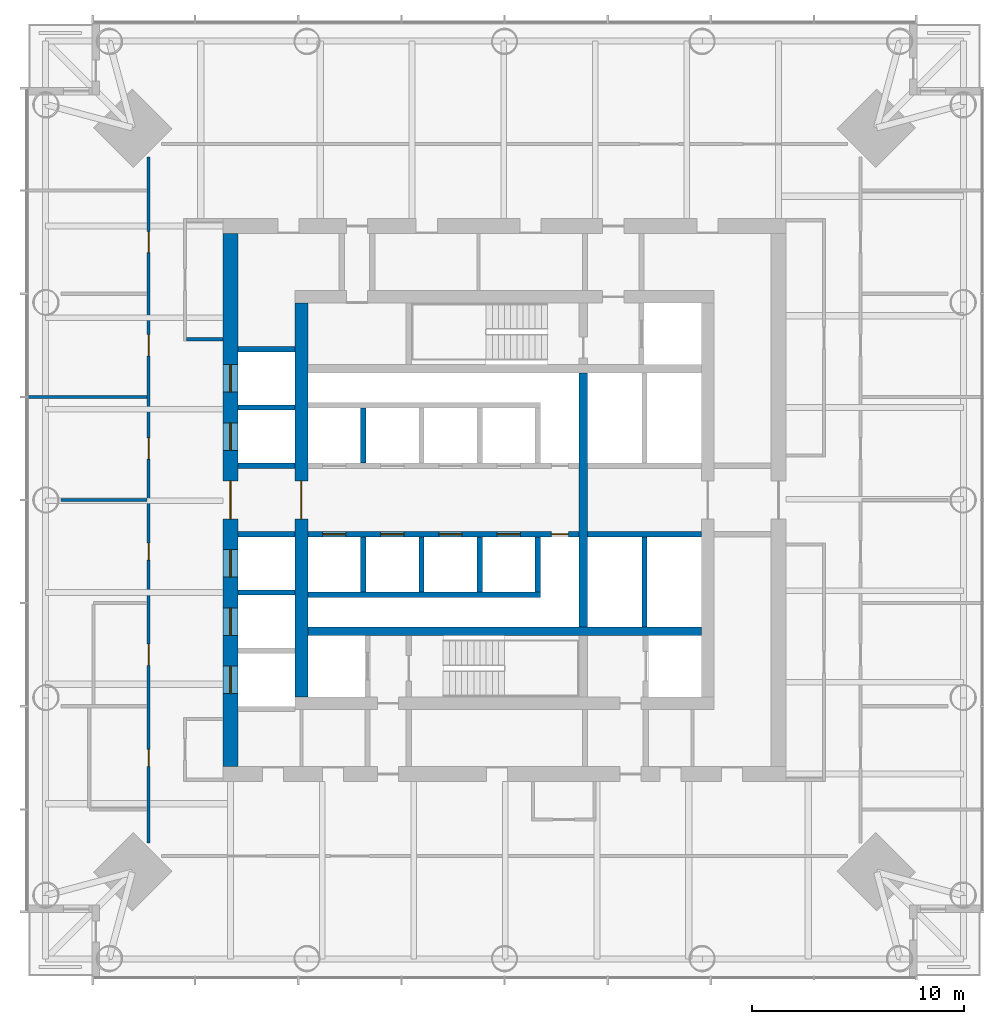
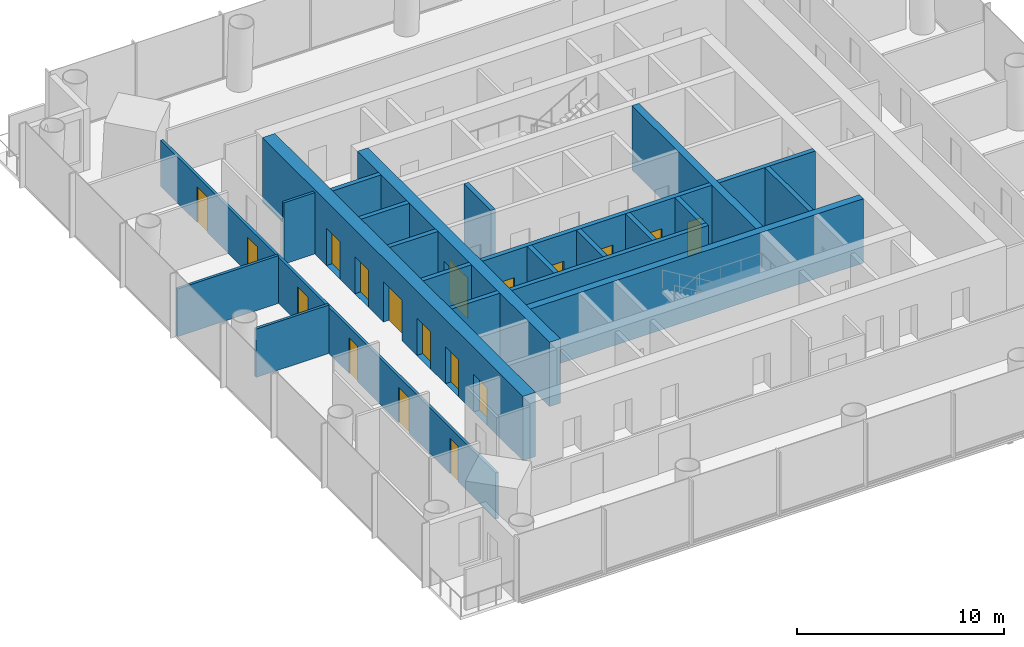
# One storey, part 9 of 18: 22 walls, 18 doors, 18 openings.
"""IFC4 building model written with IfcOpenShell, lengths in metres."""

from ifc_helpers import new_model, si_unit, direction, frame, frame_2d, origin, place, context, subcontext, project, spatial, rectangle, extrude, material, layer, layer_set, type_object, element, fill, save


model = new_model("IFC4")

# Units and contexts
model_context = context("Model", 3, precision=1e-05, world=origin(), true_north=direction((0.0, 1.0)))
body_context = subcontext(model_context, "Body", "Model", "MODEL_VIEW")
ifc_project = project(units=[si_unit("LENGTHUNIT", "METRE"), si_unit("AREAUNIT", "SQUARE_METRE"), si_unit("VOLUMEUNIT", "CUBIC_METRE"), si_unit("PLANEANGLEUNIT", "RADIAN"), si_unit("MASSUNIT", "GRAM", prefix="KILO")], contexts=[model_context])

# Site, building, storey
site_placement = place(None, origin())
site = spatial("IfcSite", under=ifc_project, at=site_placement, CompositionType="ELEMENT")
building_placement = place(site_placement, origin())
building = spatial("IfcBuilding", under=site, at=building_placement, Name="Ostroluk Exchange", CompositionType="ELEMENT")
storey_placement = place(building_placement, frame((0.0, 0.0, 93.199951171875)))
storey = spatial("IfcBuildingStorey", under=building, at=storey_placement, Name="L23", CompositionType="ELEMENT", Elevation=93.199951171875)

# Walls
ifc_material_1 = material(Name="Concrete C50/60", Category="concrete")
ifc_layer_1 = layer(ifc_material_1, 0.39990234375)
ifc_layer_set_1 = layer_set([ifc_layer_1], Name="Core cross wall 400 C50/60")
wall_type_1 = type_object("IfcWallType", Name="Core cross wall 400 C50/60", PredefinedType="SHEAR", material=ifc_layer_set_1)
wall_1_placement = place(storey_placement, frame((35.699951171875, 39.800048828125, 0.0), z_axis=(0.0, 0.0, 1.0), x_axis=(1.0, 0.0, 0.0)))
element("IfcWall", 1, at=wall_1_placement, inside=storey, type_object=wall_type_1, Name="T1 core wall XS", PredefinedType="SHEAR", context=body_context, shape_type="SweptSolid", body=[
    extrude(rectangle(XDim=18.60009765625, YDim=0.39990234375, at=frame_2d((9.300048828125, 0.0))), origin(), (0.0, 0.0, 1.0), 3.800048828125),
])
wall_2_placement = place(storey_placement, frame((48.72998046875, 40.0, 0.0), z_axis=(0.0, 0.0, 1.0), x_axis=(0.0, 1.0, 0.0)))
element("IfcWall", 2, at=wall_2_placement, inside=storey, type_object=wall_type_1, Name="T1 core wall YE2", PredefinedType="SHEAR", context=body_context, shape_type="SweptSolid", body=[
    extrude(rectangle(XDim=12.0, YDim=0.39990234375, at=frame_2d((6.0, 0.0))), origin(), (0.0, 0.0, 1.0), 3.800048828125),
])
ifc_material_2 = material(Name="Concrete C40/50", Category="concrete")
ifc_layer_2 = layer(ifc_material_2, 0.25)
ifc_layer_set_2 = layer_set([ifc_layer_2], Name="Core shaft wall 250")
wall_type_2 = type_object("IfcWallType", Name="Core shaft wall 250", PredefinedType="SHEAR", material=ifc_layer_set_2)
for number, where, z_axis, x_axis, name in (
    (3, (38.324951171875, 47.75, 0.0), (0.0, 0.0, 1.0), (0.0, 1.0, 0.0), "Lift shaft wall"),
    (4, (38.324951171875, 44.25, 0.0), (0.0, 0.0, 1.0), (0.0, -1.0, 0.0), "Lift shaft wall"),
    (5, (41.074951171875, 44.25, 0.0), (0.0, 0.0, 1.0), (0.0, -1.0, 0.0), "Lift shaft wall"),
    (6, (43.824951171875, 44.25, 0.0), (0.0, 0.0, 1.0), (0.0, -1.0, 0.0), "Lift shaft wall"),
    (7, (46.574951171875, 44.25, 0.0), (0.0, 0.0, 1.0), (0.0, -1.0, 0.0), "Lift shaft wall"),
):
    element("IfcWall", number, at=place(storey_placement, frame(where, z_axis=z_axis, x_axis=x_axis)), inside=storey, type_object=wall_type_2, Name=name, PredefinedType="SHEAR", context=body_context, shape_type="SweptSolid", body=[
        extrude(rectangle(XDim=2.60009765625, YDim=0.25, at=frame_2d((1.300048828125, 0.0))), origin(), (0.0, 0.0, 1.0), 3.800048828125),
    ])
wall_3_placement = place(storey_placement, frame((35.699951171875, 41.52490234375, 0.0), z_axis=(0.0, 0.0, 1.0), x_axis=(1.0, 0.0, 0.0)))
element("IfcWall", 8, at=wall_3_placement, inside=storey, type_object=wall_type_2, Name="Lift shaft wall", PredefinedType="SHEAR", context=body_context, shape_type="SweptSolid", body=[
    extrude(rectangle(XDim=11.0, YDim=0.25, at=frame_2d((5.5, 0.0))), origin(), (0.0, 0.0, 1.0), 3.800048828125),
])

# Wall, openings, doors
wall_4_placement = place(storey_placement, frame((35.699951171875, 44.375, 0.0), z_axis=(0.0, 0.0, 1.0), x_axis=(1.0, 0.0, 0.0)))
wall_4 = element("IfcWall", 9, at=wall_4_placement, inside=storey, type_object=wall_type_2, Name="Lift shaft front wall", PredefinedType="SHEAR", context=body_context, shape_type="SweptSolid", body=[
    extrude(rectangle(XDim=12.830078125, YDim=0.25, at=frame_2d((6.4150390625, 0.0))), origin(), (0.0, 0.0, 1.0), 3.800048828125),
])
opening_1_placement = place(wall_4_placement, frame((0.699951171875, 0.0, 0.0)))
opening_1 = element("IfcOpeningElement", 10, at=opening_1_placement, cuts=wall_4, Name="Opening LD", PredefinedType="OPENING", context=body_context, shape_type="SweptSolid", body=[
    extrude(rectangle(XDim=1.10009765625, YDim=2.199951171875, at=frame_2d((0.550048828125, 1.10009765625))), frame((0.0, 0.135009765625, 0.0), z_axis=(0.0, -1.0, 0.0), x_axis=(1.0, 0.0, 0.0)), (0.0, 0.0, 1.0), 0.27001953125),
])
opening_2_placement = place(wall_4_placement, frame((3.449951171875, 0.0, 0.0)))
opening_2 = element("IfcOpeningElement", 11, at=opening_2_placement, cuts=wall_4, Name="Opening LD", PredefinedType="OPENING", context=body_context, shape_type="SweptSolid", body=[
    extrude(rectangle(XDim=1.10009765625, YDim=2.199951171875, at=frame_2d((0.550048828125, 1.10009765625))), frame((0.0, 0.135009765625, 0.0), z_axis=(0.0, -1.0, 0.0), x_axis=(1.0, 0.0, 0.0)), (0.0, 0.0, 1.0), 0.27001953125),
])
opening_3_placement = place(wall_4_placement, frame((6.199951171875, 0.0, 0.0)))
opening_3 = element("IfcOpeningElement", 12, at=opening_3_placement, cuts=wall_4, Name="Opening LD", PredefinedType="OPENING", context=body_context, shape_type="SweptSolid", body=[
    extrude(rectangle(XDim=1.10009765625, YDim=2.199951171875, at=frame_2d((0.550048828125, 1.10009765625))), frame((0.0, 0.135009765625, 0.0), z_axis=(0.0, -1.0, 0.0), x_axis=(1.0, 0.0, 0.0)), (0.0, 0.0, 1.0), 0.27001953125),
])
opening_4_placement = place(wall_4_placement, frame((8.949951171875, 0.0, 0.0)))
opening_4 = element("IfcOpeningElement", 13, at=opening_4_placement, cuts=wall_4, Name="Opening LD", PredefinedType="OPENING", context=body_context, shape_type="SweptSolid", body=[
    extrude(rectangle(XDim=1.10009765625, YDim=2.199951171875, at=frame_2d((0.550048828125, 1.10009765625))), frame((0.0, 0.135009765625, 0.0), z_axis=(0.0, -1.0, 0.0), x_axis=(1.0, 0.0, 0.0)), (0.0, 0.0, 1.0), 0.27001953125),
])
opening_5_placement = place(wall_4_placement, frame((11.514892578125, 0.0, 0.0)))
opening_5 = element("IfcOpeningElement", 14, at=opening_5_placement, cuts=wall_4, Name="Opening RD60", PredefinedType="OPENING", context=body_context, shape_type="SweptSolid", body=[
    extrude(rectangle(XDim=0.800048828125, YDim=2.0, at=frame_2d((0.39990234375, 1.0))), frame((0.0, 0.135009765625, 0.0), z_axis=(0.0, -1.0, 0.0), x_axis=(1.0, 0.0, 0.0)), (0.0, 0.0, 1.0), 0.27001953125),
])
ifc_material_3 = material(Name="Stainless steel", Category="steel")
door_type_1 = type_object("IfcDoorType", Name="Lift landing door E 60 1100 x 2200", OperationType="DOUBLE_DOOR_SLIDING", PredefinedType="DOOR", material=ifc_material_3)
door_1_placement = place(opening_1_placement, origin())
door_1 = element("IfcDoor", 15, at=door_1_placement, inside=storey, type_object=door_type_1, Name="Lift PL-M5 landing door", OperationType="DOUBLE_DOOR_SLIDING", OverallHeight=2.199951171875, OverallWidth=1.10009765625, PredefinedType="DOOR", context=body_context, shape_type="SweptSolid", body=[
    extrude(rectangle(XDim=1.10009765625, YDim=2.199951171875, at=frame_2d((0.550048828125, 1.10009765625))), frame((0.0, 0.02490234375, 0.0), z_axis=(0.0, -1.0, 0.0), x_axis=(1.0, 0.0, 0.0)), (0.0, 0.0, 1.0), 0.050048828125),
])
fill(opening_1, door_1)
door_2_placement = place(opening_2_placement, origin())
door_2 = element("IfcDoor", 16, at=door_2_placement, inside=storey, type_object=door_type_1, Name="Lift PL-M6 landing door", OperationType="DOUBLE_DOOR_SLIDING", OverallHeight=2.199951171875, OverallWidth=1.10009765625, PredefinedType="DOOR", context=body_context, shape_type="SweptSolid", body=[
    extrude(rectangle(XDim=1.10009765625, YDim=2.199951171875, at=frame_2d((0.550048828125, 1.10009765625))), frame((0.0, 0.02490234375, 0.0), z_axis=(0.0, -1.0, 0.0), x_axis=(1.0, 0.0, 0.0)), (0.0, 0.0, 1.0), 0.050048828125),
])
fill(opening_2, door_2)
door_3_placement = place(opening_3_placement, origin())
door_3 = element("IfcDoor", 17, at=door_3_placement, inside=storey, type_object=door_type_1, Name="Lift PL-M7 landing door", OperationType="DOUBLE_DOOR_SLIDING", OverallHeight=2.199951171875, OverallWidth=1.10009765625, PredefinedType="DOOR", context=body_context, shape_type="SweptSolid", body=[
    extrude(rectangle(XDim=1.10009765625, YDim=2.199951171875, at=frame_2d((0.550048828125, 1.10009765625))), frame((0.0, 0.02490234375, 0.0), z_axis=(0.0, -1.0, 0.0), x_axis=(1.0, 0.0, 0.0)), (0.0, 0.0, 1.0), 0.050048828125),
])
fill(opening_3, door_3)
door_4_placement = place(opening_4_placement, origin())
door_4 = element("IfcDoor", 18, at=door_4_placement, inside=storey, type_object=door_type_1, Name="Lift PL-M8 landing door", OperationType="DOUBLE_DOOR_SLIDING", OverallHeight=2.199951171875, OverallWidth=1.10009765625, PredefinedType="DOOR", context=body_context, shape_type="SweptSolid", body=[
    extrude(rectangle(XDim=1.10009765625, YDim=2.199951171875, at=frame_2d((0.550048828125, 1.10009765625))), frame((0.0, 0.02490234375, 0.0), z_axis=(0.0, -1.0, 0.0), x_axis=(1.0, 0.0, 0.0)), (0.0, 0.0, 1.0), 0.050048828125),
])
fill(opening_4, door_4)
ifc_material_4 = material(Name="Steel", Category="steel")
door_type_2 = type_object("IfcDoorType", Name="Riser access door EI 60 800 x 2000", OperationType="SINGLE_SWING_LEFT", PredefinedType="DOOR", material=ifc_material_4)
door_5_placement = place(opening_5_placement, origin())
door_5 = element("IfcDoor", 19, at=door_5_placement, inside=storey, type_object=door_type_2, Name="Riser access door", OperationType="SINGLE_SWING_RIGHT", OverallHeight=2.0, OverallWidth=0.800048828125, PredefinedType="DOOR", context=body_context, shape_type="SweptSolid", body=[
    extrude(rectangle(XDim=0.800048828125, YDim=2.0, at=frame_2d((0.39990234375, 1.0))), frame((0.0, 0.02490234375, 0.0), z_axis=(0.0, -1.0, 0.0), x_axis=(1.0, 0.0, 0.0)), (0.0, 0.0, 1.0), 0.050048828125),
])
fill(opening_5, door_5)

# Walls
wall_5_placement = place(storey_placement, frame((51.614990234375, 44.25, 0.0), z_axis=(0.0, 0.0, 1.0), x_axis=(0.0, -1.0, 0.0)))
element("IfcWall", 20, at=wall_5_placement, inside=storey, type_object=wall_type_2, Name="Lift shaft wall", PredefinedType="SHEAR", context=body_context, shape_type="SweptSolid", body=[
    extrude(rectangle(XDim=4.25, YDim=0.25, at=frame_2d((2.125, 0.0))), origin(), (0.0, 0.0, 1.0), 3.800048828125),
])
wall_6_placement = place(storey_placement, frame((48.929931640625, 44.375, 0.0), z_axis=(0.0, 0.0, 1.0), x_axis=(1.0, 0.0, 0.0)))
element("IfcWall", 21, at=wall_6_placement, inside=storey, type_object=wall_type_2, Name="Lift shaft front wall", PredefinedType="SHEAR", context=body_context, shape_type="SweptSolid", body=[
    extrude(rectangle(XDim=5.3701171875, YDim=0.25, at=frame_2d((2.68505859375, 0.0))), origin(), (0.0, 0.0, 1.0), 3.800048828125),
])
for number, where, z_axis, x_axis, name in (
    (22, (32.39990234375, 41.625, 0.0), (0.0, 0.0, 1.0), (1.0, 0.0, 0.0), "Lift shaft wall"),
    (23, (32.39990234375, 44.375, 0.0), (0.0, 0.0, 1.0), (1.0, 0.0, 0.0), "Lift shaft wall"),
    (24, (32.39990234375, 47.625, 0.0), (0.0, 0.0, 1.0), (1.0, 0.0, 0.0), "Lift shaft wall"),
    (25, (32.39990234375, 50.375, 0.0), (0.0, 0.0, 1.0), (1.0, 0.0, 0.0), "Lift shaft wall"),
    (26, (32.39990234375, 53.125, 0.0), (0.0, 0.0, 1.0), (1.0, 0.0, 0.0), "Lift shaft wall"),
):
    element("IfcWall", number, at=place(storey_placement, frame(where, z_axis=z_axis, x_axis=x_axis)), inside=storey, type_object=wall_type_2, Name=name, PredefinedType="SHEAR", context=body_context, shape_type="SweptSolid", body=[
        extrude(rectangle(XDim=2.7001953125, YDim=0.25, at=frame_2d((1.35009765625, 0.0))), origin(), (0.0, 0.0, 1.0), 3.800048828125),
    ])

# Wall, opening, door
ifc_material_5 = material(Name="Concrete C50/60", Category="concrete")
ifc_layer_3 = layer(ifc_material_5, 0.60009765625)
ifc_layer_set_3 = layer_set([ifc_layer_3], Name="Core wall 600 C50/60")
wall_type_3 = type_object("IfcWallType", Name="Core wall 600 C50/60", PredefinedType="SHEAR", material=ifc_layer_set_3)
wall_7_placement = place(storey_placement, frame((35.39990234375, 36.699951171875, 0.0), z_axis=(0.0, 0.0, 1.0), x_axis=(0.0, 1.0, 0.0)))
wall_7 = element("IfcWall", 27, at=wall_7_placement, inside=storey, type_object=wall_type_3, Name="T1 core wall W", PredefinedType="SHEAR", context=body_context, shape_type="SweptSolid", body=[
    extrude(rectangle(XDim=18.60009765625, YDim=0.60009765625, at=frame_2d((9.300048828125, 0.0))), origin(), (0.0, 0.0, 1.0), 3.800048828125),
])
opening_6_placement = place(wall_7_placement, frame((8.39990234375, 0.0, 0.0)))
opening_6 = element("IfcOpeningElement", 28, at=opening_6_placement, cuts=wall_7, Name="Opening FD30D", PredefinedType="OPENING", context=body_context, shape_type="SweptSolid", body=[
    extrude(rectangle(XDim=1.800048828125, YDim=2.39990234375, at=frame_2d((0.89990234375, 1.199951171875))), frame((0.0, 0.31005859375, 0.0), z_axis=(0.0, -1.0, 0.0), x_axis=(1.0, 0.0, 0.0)), (0.0, 0.0, 1.0), 0.6201171875),
])
ifc_material_6 = material(Name="Timber", Category="wood")
door_type_3 = type_object("IfcDoorType", Name="Lobby double door EI 30 1800 x 2400", OperationType="DOUBLE_DOOR_SINGLE_SWING", PredefinedType="DOOR", material=ifc_material_6)
door_6_placement = place(opening_6_placement, origin())
door_6 = element("IfcDoor", 29, at=door_6_placement, inside=storey, type_object=door_type_3, Name="Lift lobby doors", OperationType="DOUBLE_DOOR_SINGLE_SWING", OverallHeight=2.39990234375, OverallWidth=1.800048828125, PredefinedType="DOOR", context=body_context, shape_type="SweptSolid", body=[
    extrude(rectangle(XDim=1.800048828125, YDim=2.39990234375, at=frame_2d((0.89990234375, 1.199951171875))), frame((0.0, 0.02490234375, 0.0), z_axis=(0.0, -1.0, 0.0), x_axis=(1.0, 0.0, 0.0)), (0.0, 0.0, 1.0), 0.050048828125),
])
fill(opening_6, door_6)

# Wall, openings, doors
ifc_material_7 = material(Name="Concrete C50/60", Category="concrete")
ifc_layer_4 = layer(ifc_material_7, 0.699951171875)
ifc_layer_set_4 = layer_set([ifc_layer_4], Name="Core wall 700 C50/60")
wall_type_4 = type_object("IfcWallType", Name="Core wall 700 C50/60", PredefinedType="SHEAR", material=ifc_layer_set_4)
wall_8_placement = place(storey_placement, frame((32.050048828125, 33.39990234375, 0.0), z_axis=(0.0, 0.0, 1.0), x_axis=(0.0, 1.0, 0.0)))
wall_8 = element("IfcWall", 30, at=wall_8_placement, inside=storey, type_object=wall_type_4, Name="T1 core wall RW", PredefinedType="SHEAR", context=body_context, shape_type="SweptSolid", body=[
    extrude(rectangle(XDim=25.2001953125, YDim=0.699951171875, at=frame_2d((12.60009765625, 0.0))), origin(), (0.0, 0.0, 1.0), 3.800048828125),
])
opening_7_placement = place(wall_8_placement, frame((3.449951171875, 0.0, 0.0)))
opening_7 = element("IfcOpeningElement", 31, at=opening_7_placement, cuts=wall_8, Name="Opening LD2", PredefinedType="OPENING", context=body_context, shape_type="SweptSolid", body=[
    extrude(rectangle(XDim=1.300048828125, YDim=2.199951171875, at=frame_2d((0.64990234375, 1.10009765625))), frame((0.0, 0.35986328125, 0.0), z_axis=(0.0, -1.0, 0.0), x_axis=(1.0, 0.0, 0.0)), (0.0, 0.0, 1.0), 0.719970703125),
])
opening_8_placement = place(wall_8_placement, frame((6.199951171875, 0.0, 0.0)))
opening_8 = element("IfcOpeningElement", 32, at=opening_8_placement, cuts=wall_8, Name="Opening LD2", PredefinedType="OPENING", context=body_context, shape_type="SweptSolid", body=[
    extrude(rectangle(XDim=1.300048828125, YDim=2.199951171875, at=frame_2d((0.64990234375, 1.10009765625))), frame((0.0, 0.35986328125, 0.0), z_axis=(0.0, -1.0, 0.0), x_axis=(1.0, 0.0, 0.0)), (0.0, 0.0, 1.0), 0.719970703125),
])
opening_9_placement = place(wall_8_placement, frame((8.949951171875, 0.0, 0.0)))
opening_9 = element("IfcOpeningElement", 33, at=opening_9_placement, cuts=wall_8, Name="Opening LD2", PredefinedType="OPENING", context=body_context, shape_type="SweptSolid", body=[
    extrude(rectangle(XDim=1.300048828125, YDim=2.199951171875, at=frame_2d((0.64990234375, 1.10009765625))), frame((0.0, 0.35986328125, 0.0), z_axis=(0.0, -1.0, 0.0), x_axis=(1.0, 0.0, 0.0)), (0.0, 0.0, 1.0), 0.719970703125),
])
opening_10_placement = place(wall_8_placement, frame((14.949951171875, 0.0, 0.0)))
opening_10 = element("IfcOpeningElement", 34, at=opening_10_placement, cuts=wall_8, Name="Opening LD2", PredefinedType="OPENING", context=body_context, shape_type="SweptSolid", body=[
    extrude(rectangle(XDim=1.300048828125, YDim=2.199951171875, at=frame_2d((0.64990234375, 1.10009765625))), frame((0.0, 0.35986328125, 0.0), z_axis=(0.0, -1.0, 0.0), x_axis=(1.0, 0.0, 0.0)), (0.0, 0.0, 1.0), 0.719970703125),
])
opening_11_placement = place(wall_8_placement, frame((17.699951171875, 0.0, 0.0)))
opening_11 = element("IfcOpeningElement", 35, at=opening_11_placement, cuts=wall_8, Name="Opening LD2", PredefinedType="OPENING", context=body_context, shape_type="SweptSolid", body=[
    extrude(rectangle(XDim=1.300048828125, YDim=2.199951171875, at=frame_2d((0.64990234375, 1.10009765625))), frame((0.0, 0.35986328125, 0.0), z_axis=(0.0, -1.0, 0.0), x_axis=(1.0, 0.0, 0.0)), (0.0, 0.0, 1.0), 0.719970703125),
])
opening_12_placement = place(wall_8_placement, frame((11.699951171875, 0.0, 0.0)))
opening_12 = element("IfcOpeningElement", 36, at=opening_12_placement, cuts=wall_8, Name="Opening FD30D", PredefinedType="OPENING", context=body_context, shape_type="SweptSolid", body=[
    extrude(rectangle(XDim=1.800048828125, YDim=2.39990234375, at=frame_2d((0.89990234375, 1.199951171875))), frame((0.0, 0.35986328125, 0.0), z_axis=(0.0, -1.0, 0.0), x_axis=(1.0, 0.0, 0.0)), (0.0, 0.0, 1.0), 0.719970703125),
])
ifc_material_8 = material(Name="Stainless steel", Category="steel")
door_type_4 = type_object("IfcDoorType", Name="Lift landing door E 60 1300 x 2200", OperationType="DOUBLE_DOOR_SLIDING", PredefinedType="DOOR", material=ifc_material_8)
door_7_placement = place(opening_7_placement, origin())
door_7 = element("IfcDoor", 37, at=door_7_placement, inside=storey, type_object=door_type_4, Name="Lift SH1 landing door", OperationType="DOUBLE_DOOR_SLIDING", OverallHeight=2.199951171875, OverallWidth=1.300048828125, PredefinedType="DOOR", context=body_context, shape_type="SweptSolid", body=[
    extrude(rectangle(XDim=1.300048828125, YDim=2.199951171875, at=frame_2d((0.64990234375, 1.10009765625))), frame((0.0, 0.02490234375, 0.0), z_axis=(0.0, -1.0, 0.0), x_axis=(1.0, 0.0, 0.0)), (0.0, 0.0, 1.0), 0.050048828125),
])
fill(opening_7, door_7)
door_8_placement = place(opening_8_placement, origin())
door_8 = element("IfcDoor", 38, at=door_8_placement, inside=storey, type_object=door_type_4, Name="Lift SH2 landing door", OperationType="DOUBLE_DOOR_SLIDING", OverallHeight=2.199951171875, OverallWidth=1.300048828125, PredefinedType="DOOR", context=body_context, shape_type="SweptSolid", body=[
    extrude(rectangle(XDim=1.300048828125, YDim=2.199951171875, at=frame_2d((0.64990234375, 1.10009765625))), frame((0.0, 0.02490234375, 0.0), z_axis=(0.0, -1.0, 0.0), x_axis=(1.0, 0.0, 0.0)), (0.0, 0.0, 1.0), 0.050048828125),
])
fill(opening_8, door_8)
door_9_placement = place(opening_9_placement, origin())
door_9 = element("IfcDoor", 39, at=door_9_placement, inside=storey, type_object=door_type_4, Name="Lift SH3 landing door", OperationType="DOUBLE_DOOR_SLIDING", OverallHeight=2.199951171875, OverallWidth=1.300048828125, PredefinedType="DOOR", context=body_context, shape_type="SweptSolid", body=[
    extrude(rectangle(XDim=1.300048828125, YDim=2.199951171875, at=frame_2d((0.64990234375, 1.10009765625))), frame((0.0, 0.02490234375, 0.0), z_axis=(0.0, -1.0, 0.0), x_axis=(1.0, 0.0, 0.0)), (0.0, 0.0, 1.0), 0.050048828125),
])
fill(opening_9, door_9)
door_10_placement = place(opening_10_placement, origin())
door_10 = element("IfcDoor", 40, at=door_10_placement, inside=storey, type_object=door_type_4, Name="Lift SH4 landing door", OperationType="DOUBLE_DOOR_SLIDING", OverallHeight=2.199951171875, OverallWidth=1.300048828125, PredefinedType="DOOR", context=body_context, shape_type="SweptSolid", body=[
    extrude(rectangle(XDim=1.300048828125, YDim=2.199951171875, at=frame_2d((0.64990234375, 1.10009765625))), frame((0.0, 0.02490234375, 0.0), z_axis=(0.0, -1.0, 0.0), x_axis=(1.0, 0.0, 0.0)), (0.0, 0.0, 1.0), 0.050048828125),
])
fill(opening_10, door_10)
door_11_placement = place(opening_11_placement, origin())
door_11 = element("IfcDoor", 41, at=door_11_placement, inside=storey, type_object=door_type_4, Name="Lift SH5 landing door", OperationType="DOUBLE_DOOR_SLIDING", OverallHeight=2.199951171875, OverallWidth=1.300048828125, PredefinedType="DOOR", context=body_context, shape_type="SweptSolid", body=[
    extrude(rectangle(XDim=1.300048828125, YDim=2.199951171875, at=frame_2d((0.64990234375, 1.10009765625))), frame((0.0, 0.02490234375, 0.0), z_axis=(0.0, -1.0, 0.0), x_axis=(1.0, 0.0, 0.0)), (0.0, 0.0, 1.0), 0.050048828125),
])
fill(opening_11, door_11)
door_12_placement = place(opening_12_placement, origin())
door_12 = element("IfcDoor", 42, at=door_12_placement, inside=storey, type_object=door_type_3, Name="Lift lobby doors", OperationType="DOUBLE_DOOR_SINGLE_SWING", OverallHeight=2.39990234375, OverallWidth=1.800048828125, PredefinedType="DOOR", context=body_context, shape_type="SweptSolid", body=[
    extrude(rectangle(XDim=1.800048828125, YDim=2.39990234375, at=frame_2d((0.89990234375, 1.199951171875))), frame((0.0, 0.02490234375, 0.0), z_axis=(0.0, -1.0, 0.0), x_axis=(1.0, 0.0, 0.0)), (0.0, 0.0, 1.0), 0.050048828125),
])
fill(opening_12, door_12)

# Wall
ifc_material_9 = material(Name="Gypsum plasterboard partition", Category="gypsum")
ifc_layer_5 = layer(ifc_material_9, 0.14990234375)
ifc_layer_set_5 = layer_set([ifc_layer_5], Name="Plasterboard partition 150")
wall_type_5 = type_object("IfcWallType", Name="Plasterboard partition 150", PredefinedType="PARTITIONING", material=ifc_layer_set_5)
wall_9_placement = place(storey_placement, frame((31.699951171875, 53.60009765625, 0.0), z_axis=(0.0, 0.0, 1.0), x_axis=(-1.0, 0.0, 0.0)))
element("IfcWall", 43, at=wall_9_placement, inside=storey, type_object=wall_type_5, Name="Partition", PredefinedType="PARTITIONING", context=body_context, shape_type="SweptSolid", body=[
    extrude(rectangle(XDim=1.724853515625, YDim=0.14990234375, at=frame_2d((0.8623046875, 0.0))), origin(), (0.0, 0.0, 1.0), 3.6201171875),
])

# Wall, openings, doors
wall_10_placement = place(storey_placement, frame((28.175048828125, 62.204345703125, 0.0), z_axis=(0.0, 0.0, 1.0), x_axis=(0.0, -1.0, 0.0)))
wall_10 = element("IfcWall", 44, at=wall_10_placement, inside=storey, type_object=wall_type_5, Name="Partition", PredefinedType="PARTITIONING", context=body_context, shape_type="SweptSolid", body=[
    extrude(rectangle(XDim=32.40869140625, YDim=0.14990234375, at=frame_2d((16.204345703125, 0.0))), origin(), (0.0, 0.0, 1.0), 2.719970703125),
])
opening_13_placement = place(wall_10_placement, frame((3.516845703125, 0.0, 0.0)))
opening_13 = element("IfcOpeningElement", 45, at=opening_13_placement, cuts=wall_10, Name="Opening D-03", PredefinedType="OPENING", context=body_context, shape_type="SweptSolid", body=[
    extrude(rectangle(XDim=1.0, YDim=2.10009765625, at=frame_2d((0.5, 1.050048828125))), frame((0.0, 0.0849609375, 0.0), z_axis=(0.0, -1.0, 0.0), x_axis=(1.0, 0.0, 0.0)), (0.0, 0.0, 1.0), 0.169921875),
])
opening_14_placement = place(wall_10_placement, frame((8.391845703125, 0.0, 0.0)))
opening_14 = element("IfcOpeningElement", 46, at=opening_14_placement, cuts=wall_10, Name="Opening D-03", PredefinedType="OPENING", context=body_context, shape_type="SweptSolid", body=[
    extrude(rectangle(XDim=1.0, YDim=2.10009765625, at=frame_2d((0.5, 1.050048828125))), frame((0.0, 0.0849609375, 0.0), z_axis=(0.0, -1.0, 0.0), x_axis=(1.0, 0.0, 0.0)), (0.0, 0.0, 1.0), 0.169921875),
])
opening_15_placement = place(wall_10_placement, frame((13.266845703125, 0.0, 0.0)))
opening_15 = element("IfcOpeningElement", 47, at=opening_15_placement, cuts=wall_10, Name="Opening D-03", PredefinedType="OPENING", context=body_context, shape_type="SweptSolid", body=[
    extrude(rectangle(XDim=1.0, YDim=2.10009765625, at=frame_2d((0.5, 1.050048828125))), frame((0.0, 0.0849609375, 0.0), z_axis=(0.0, -1.0, 0.0), x_axis=(1.0, 0.0, 0.0)), (0.0, 0.0, 1.0), 0.169921875),
])
opening_16_placement = place(wall_10_placement, frame((18.241943359375, 0.0, 0.0)))
opening_16 = element("IfcOpeningElement", 48, at=opening_16_placement, cuts=wall_10, Name="Opening D-06", PredefinedType="OPENING", context=body_context, shape_type="SweptSolid", body=[
    extrude(rectangle(XDim=0.800048828125, YDim=2.10009765625, at=frame_2d((0.39990234375, 1.050048828125))), frame((0.0, 0.0849609375, 0.0), z_axis=(0.0, -1.0, 0.0), x_axis=(1.0, 0.0, 0.0)), (0.0, 0.0, 1.0), 0.169921875),
])
opening_17_placement = place(wall_10_placement, frame((23.016845703125, 0.0, 0.0)))
opening_17 = element("IfcOpeningElement", 49, at=opening_17_placement, cuts=wall_10, Name="Opening D-03", PredefinedType="OPENING", context=body_context, shape_type="SweptSolid", body=[
    extrude(rectangle(XDim=1.0, YDim=2.10009765625, at=frame_2d((0.5, 1.050048828125))), frame((0.0, 0.0849609375, 0.0), z_axis=(0.0, -1.0, 0.0), x_axis=(1.0, 0.0, 0.0)), (0.0, 0.0, 1.0), 0.169921875),
])
opening_18_placement = place(wall_10_placement, frame((27.991943359375, 0.0, 0.0)))
opening_18 = element("IfcOpeningElement", 50, at=opening_18_placement, cuts=wall_10, Name="Opening D-06", PredefinedType="OPENING", context=body_context, shape_type="SweptSolid", body=[
    extrude(rectangle(XDim=0.800048828125, YDim=2.10009765625, at=frame_2d((0.39990234375, 1.050048828125))), frame((0.0, 0.0849609375, 0.0), z_axis=(0.0, -1.0, 0.0), x_axis=(1.0, 0.0, 0.0)), (0.0, 0.0, 1.0), 0.169921875),
])
ifc_material_10 = material(Name="Timber", Category="wood")
door_type_5 = type_object("IfcDoorType", Name="Internal door 1000 x 2100", OperationType="SINGLE_SWING_LEFT", PredefinedType="DOOR", material=ifc_material_10)
door_13_placement = place(opening_13_placement, origin())
door_13 = element("IfcDoor", 51, at=door_13_placement, inside=storey, type_object=door_type_5, Name="Office door", OperationType="SINGLE_SWING_LEFT", OverallHeight=2.10009765625, OverallWidth=1.0, PredefinedType="DOOR", context=body_context, shape_type="SweptSolid", body=[
    extrude(rectangle(XDim=1.0, YDim=2.10009765625, at=frame_2d((0.5, 1.050048828125))), frame((0.0, 0.02490234375, 0.0), z_axis=(0.0, -1.0, 0.0), x_axis=(1.0, 0.0, 0.0)), (0.0, 0.0, 1.0), 0.050048828125),
])
fill(opening_13, door_13)
door_14_placement = place(opening_14_placement, origin())
door_14 = element("IfcDoor", 52, at=door_14_placement, inside=storey, type_object=door_type_5, Name="Meeting room door", OperationType="SINGLE_SWING_LEFT", OverallHeight=2.10009765625, OverallWidth=1.0, PredefinedType="DOOR", context=body_context, shape_type="SweptSolid", body=[
    extrude(rectangle(XDim=1.0, YDim=2.10009765625, at=frame_2d((0.5, 1.050048828125))), frame((0.0, 0.02490234375, 0.0), z_axis=(0.0, -1.0, 0.0), x_axis=(1.0, 0.0, 0.0)), (0.0, 0.0, 1.0), 0.050048828125),
])
fill(opening_14, door_14)
door_15_placement = place(opening_15_placement, origin())
door_15 = element("IfcDoor", 53, at=door_15_placement, inside=storey, type_object=door_type_5, Name="Pantry door", OperationType="SINGLE_SWING_LEFT", OverallHeight=2.10009765625, OverallWidth=1.0, PredefinedType="DOOR", context=body_context, shape_type="SweptSolid", body=[
    extrude(rectangle(XDim=1.0, YDim=2.10009765625, at=frame_2d((0.5, 1.050048828125))), frame((0.0, 0.02490234375, 0.0), z_axis=(0.0, -1.0, 0.0), x_axis=(1.0, 0.0, 0.0)), (0.0, 0.0, 1.0), 0.050048828125),
])
fill(opening_15, door_15)
door_16_placement = place(opening_17_placement, origin())
door_16 = element("IfcDoor", 54, at=door_16_placement, inside=storey, type_object=door_type_5, Name="Accessible WC door", OperationType="SINGLE_SWING_RIGHT", OverallHeight=2.10009765625, OverallWidth=1.0, PredefinedType="DOOR", context=body_context, shape_type="SweptSolid", body=[
    extrude(rectangle(XDim=1.0, YDim=2.10009765625, at=frame_2d((0.5, 1.050048828125))), frame((0.0, 0.02490234375, 0.0), z_axis=(0.0, -1.0, 0.0), x_axis=(1.0, 0.0, 0.0)), (0.0, 0.0, 1.0), 0.050048828125),
])
fill(opening_17, door_16)
ifc_material_11 = material(Name="Timber", Category="wood")
door_type_6 = type_object("IfcDoorType", Name="Toilet door 800 x 2100", OperationType="SINGLE_SWING_LEFT", PredefinedType="DOOR", material=ifc_material_11)
door_17_placement = place(opening_16_placement, origin())
door_17 = element("IfcDoor", 55, at=door_17_placement, inside=storey, type_object=door_type_6, Name="WC female door", OperationType="SINGLE_SWING_RIGHT", OverallHeight=2.10009765625, OverallWidth=0.800048828125, PredefinedType="DOOR", context=body_context, shape_type="SweptSolid", body=[
    extrude(rectangle(XDim=0.800048828125, YDim=2.10009765625, at=frame_2d((0.39990234375, 1.050048828125))), frame((0.0, 0.02490234375, 0.0), z_axis=(0.0, -1.0, 0.0), x_axis=(1.0, 0.0, 0.0)), (0.0, 0.0, 1.0), 0.050048828125),
])
fill(opening_16, door_17)
door_18_placement = place(opening_18_placement, origin())
door_18 = element("IfcDoor", 56, at=door_18_placement, inside=storey, type_object=door_type_6, Name="WC male door", OperationType="SINGLE_SWING_RIGHT", OverallHeight=2.10009765625, OverallWidth=0.800048828125, PredefinedType="DOOR", context=body_context, shape_type="SweptSolid", body=[
    extrude(rectangle(XDim=0.800048828125, YDim=2.10009765625, at=frame_2d((0.39990234375, 1.050048828125))), frame((0.0, 0.02490234375, 0.0), z_axis=(0.0, -1.0, 0.0), x_axis=(1.0, 0.0, 0.0)), (0.0, 0.0, 1.0), 0.050048828125),
])
fill(opening_18, door_18)

# Walls
wall_11_placement = place(storey_placement, frame((28.10009765625, 50.875, 0.0), z_axis=(0.0, 0.0, 1.0), x_axis=(-1.0, 0.0, 0.0)))
element("IfcWall", 57, at=wall_11_placement, inside=storey, type_object=wall_type_5, Name="Partition", PredefinedType="PARTITIONING", context=body_context, shape_type="SweptSolid", body=[
    extrude(rectangle(XDim=5.64013671875, YDim=0.14990234375, at=frame_2d((2.820068359375, 0.0))), origin(), (0.0, 0.0, 1.0), 2.820068359375),
])
wall_12_placement = place(storey_placement, frame((28.10009765625, 46.0, 0.0), z_axis=(0.0, 0.0, 1.0), x_axis=(-1.0, 0.0, 0.0)))
element("IfcWall", 58, at=wall_12_placement, inside=storey, type_object=wall_type_5, Name="Partition", PredefinedType="PARTITIONING", context=body_context, shape_type="SweptSolid", body=[
    extrude(rectangle(XDim=4.06201171875, YDim=0.14990234375, at=frame_2d((2.031005859375, 0.0))), origin(), (0.0, 0.0, 1.0), 2.858154296875),
])

save(model, "model.ifc")
